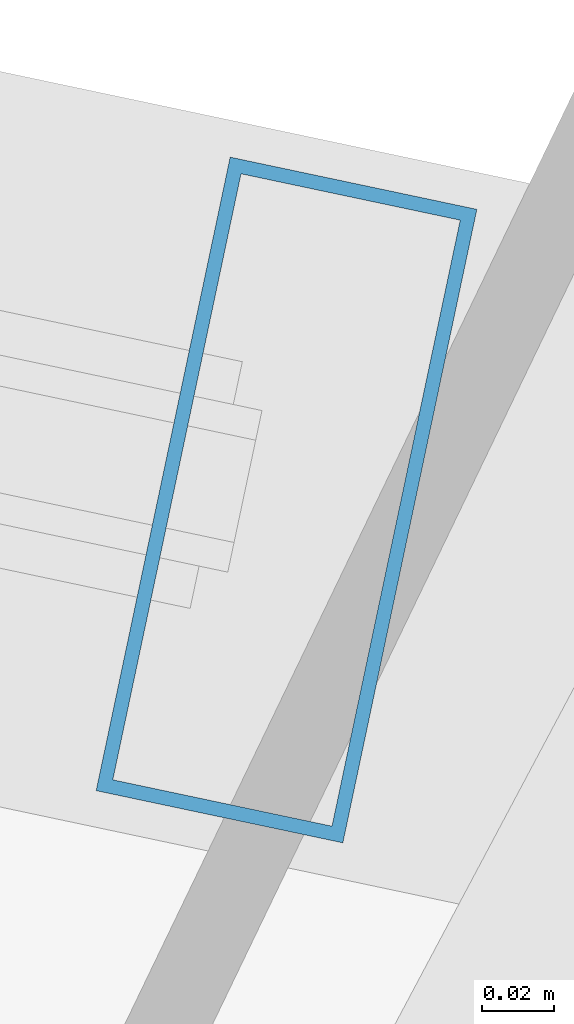
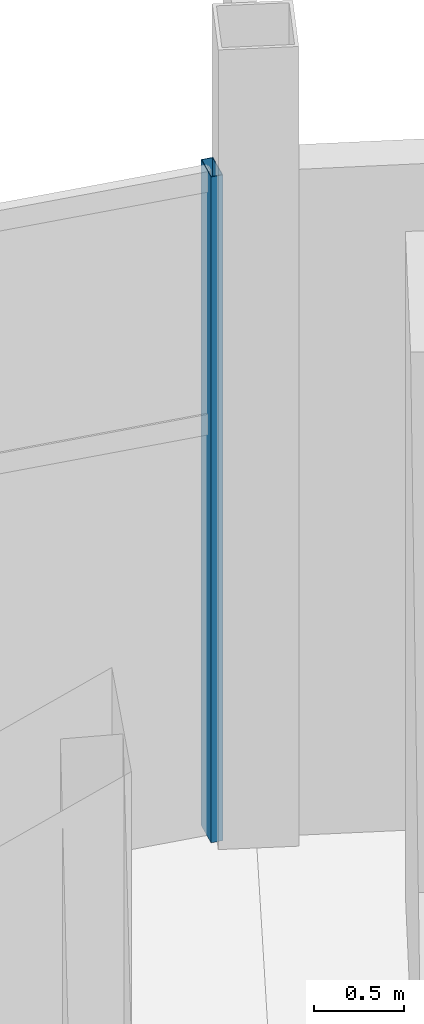
# One storey, part 117 of 186: 1 member, 1 element without a shape of its own.
"""IFC4 building model written with IfcOpenShell, lengths in metres."""

from ifc_helpers import new_model, si_unit, direction, frame, origin, origin_2d, place, context, subcontext, project, spatial, hollow_rectangle, extrude, material, layer, layer_set, material_profile, profile_set, type_object, element, aggregate, save


model = new_model("IFC4")

# Units and contexts
model_context = context("Model", 3, precision=1e-05, world=origin(), true_north=direction((0.0, 1.0)))
body_context = subcontext(model_context, "Body", "Model", "MODEL_VIEW")
ifc_project = project(units=[si_unit("LENGTHUNIT", "METRE"), si_unit("AREAUNIT", "SQUARE_METRE"), si_unit("VOLUMEUNIT", "CUBIC_METRE"), si_unit("PLANEANGLEUNIT", "RADIAN"), si_unit("MASSUNIT", "GRAM", prefix="KILO")], contexts=[model_context])

# Site, building, storey
site_placement = place(None, origin())
site = spatial("IfcSite", under=ifc_project, at=site_placement, CompositionType="ELEMENT")
building_placement = place(site_placement, origin())
building = spatial("IfcBuilding", under=site, at=building_placement, Name="Kazemori Nagisa Stadium", CompositionType="ELEMENT")
storey_placement = place(building_placement, frame((0.0, 0.0, 20.39990234375)))
storey = spatial("IfcBuildingStorey", under=building, at=storey_placement, Name="L04", CompositionType="ELEMENT", Elevation=20.39990234375)

# Curtain wall, member
ifc_material_1 = material(Name="Anodised aluminium 6063-T5", Category="aluminium")
ifc_layer = layer(ifc_material_1, 0.179931640625, Name="Anodised aluminium 6063-T5", Category="aluminium")
ifc_layer_set = layer_set([ifc_layer], Name="Anodised aluminium 6063-T5")
curtain_wall_type = type_object("IfcCurtainWallType", Name="CW_L04R3_107", PredefinedType="USERDEFINED", material=ifc_layer_set)
curtain_wall_placement = place(storey_placement, origin())
curtain_wall = element("IfcCurtainWall", 1, at=curtain_wall_placement, inside=storey, type_object=curtain_wall_type, Name="Unitised curtain wall CW-L04R3-107 L04", ObjectType="UNITISED CURTAIN WALL", PredefinedType="USERDEFINED")
ifc_material_2 = material(Name="Aluminium 6063-T5 anodised", Category="aluminium")
ifc_material_profile = material_profile(ifc_material_2, hollow_rectangle(XDim=0.070068359375, YDim=0.179931640625, WallThickness=0.00390625, at=origin_2d()), Name="ALU-MULL-70x180x4")
ifc_profile_set = profile_set([ifc_material_profile], Name="Aluminium 6063-T5 anodised")
member_type = type_object("IfcMemberType", Name="Mullion_M01", PredefinedType="MULLION", material=ifc_profile_set)
member_placement = place(storey_placement, frame((165.55517578125, 182.51708984375, 0.0), z_axis=(0.0, 0.0, 1.0), x_axis=(-0.978344955407, 0.206981033502, 0.0)))
member = element("IfcMember", 2, at=member_placement, type_object=member_type, Name="Curtain wall mullion CW-L04R3-107-M1", PredefinedType="MULLION", context=body_context, shape_type="SweptSolid", body=[
    extrude(hollow_rectangle(XDim=0.070068359375, YDim=0.179931640625, WallThickness=0.00390625, at=origin_2d()), origin(), (0.0, 0.0, 1.0), 4.530029296875),
])
aggregate(curtain_wall, [member])

save(model, "model.ifc")
